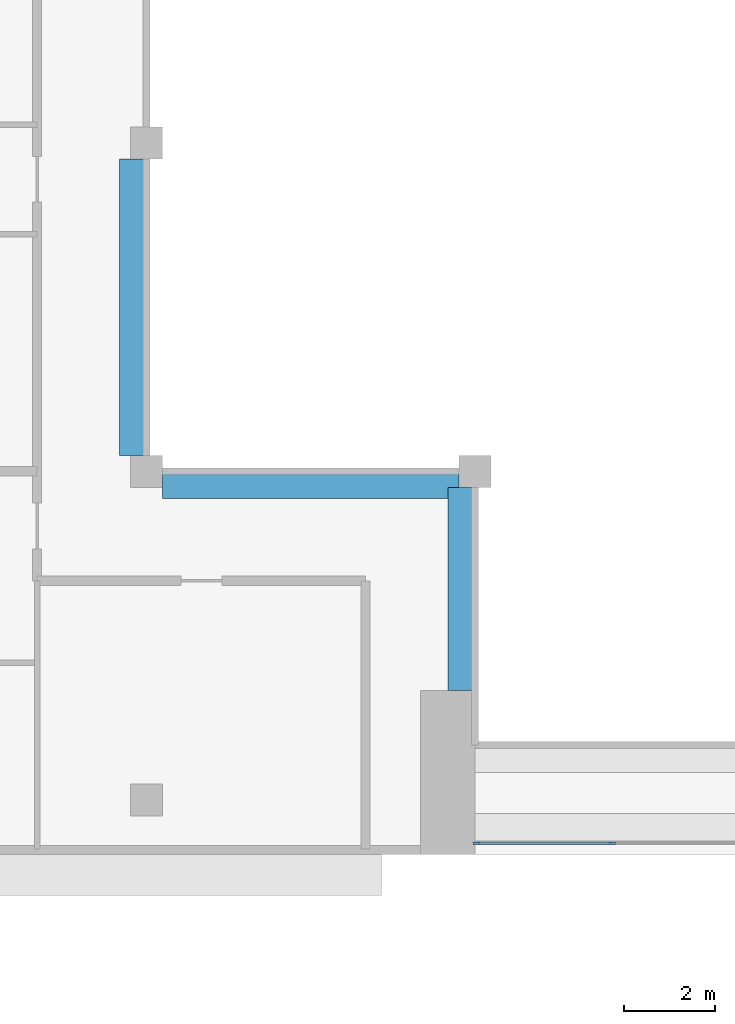
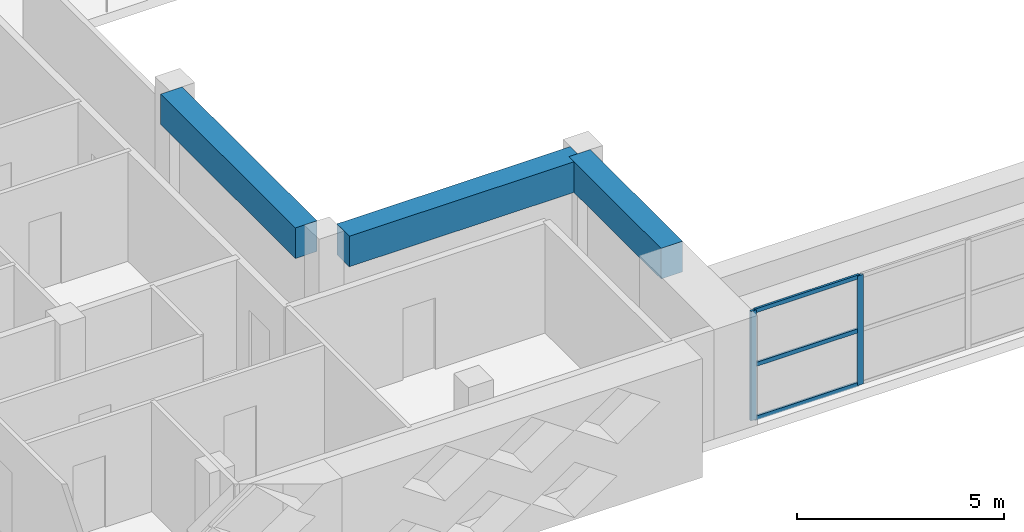
# One storey, part 2 of 19: 5 members, 3 beams, 1 element without a shape of its own.
"""IFC4 building model written with IfcOpenShell, lengths in metres."""

from ifc_helpers import new_model, si_unit, direction, frame, origin, origin_2d, place, context, subcontext, project, spatial, rectangle, extrude, source, transform, mapped, material, layer, layer_set, material_profile, profile_set, type_object, element, aggregate, save


model = new_model("IFC4")

# Units and contexts
model_context = context("Model", 3, precision=1e-05, world=origin(), true_north=direction((0.0, 1.0)))
body_context = subcontext(model_context, "Body", "Model", "MODEL_VIEW")
ifc_project = project(units=[si_unit("LENGTHUNIT", "METRE"), si_unit("AREAUNIT", "SQUARE_METRE"), si_unit("VOLUMEUNIT", "CUBIC_METRE"), si_unit("PLANEANGLEUNIT", "RADIAN"), si_unit("MASSUNIT", "GRAM", prefix="KILO")], contexts=[model_context])

# Site, building, storey
site_placement = place(None, origin())
site = spatial("IfcSite", under=ifc_project, at=site_placement, CompositionType="ELEMENT")
building_placement = place(site_placement, origin())
building = spatial("IfcBuilding", under=site, at=building_placement, Name="Saffron Iwan Residences", CompositionType="ELEMENT")
storey_placement = place(building_placement, frame((0.0, 0.0, 264.0)))
storey = spatial("IfcBuildingStorey", under=building, at=storey_placement, Name="L71", CompositionType="ELEMENT", Elevation=264.0)

# Beams
ifc_material_1 = material(Name="Concrete C40/50", Category="concrete")
ifc_material_profile_1 = material_profile(ifc_material_1, rectangle(XDim=0.60009765625, YDim=0.89990234375, at=origin_2d()), Name="RC 600x900")
ifc_profile_set_1 = profile_set([ifc_material_profile_1], Name="Concrete C40/50")
beam_type = type_object("IfcBeamType", Name="BEAM RC 600x900 C40/50 TOP 3220", PredefinedType="BEAM", material=ifc_profile_set_1)
shared_shape_1 = source(origin(), body_context, "Body", "SweptSolid", [
    extrude(rectangle(XDim=0.60009765625, YDim=0.89990234375, at=origin_2d()), origin(), (0.0, 0.0, 1.0), 4.449951171875),
])
beam_placement = place(storey_placement, frame((42.89990234375, 43.199951171875, 2.77001953125), z_axis=(0.0, 1.0, 0.0), x_axis=(-1.0, 0.0, 0.0)))
element("IfcBeam", 1, at=beam_placement, inside=storey, type_object=beam_type, Name="Atrium edge beam", PredefinedType="BEAM", context=body_context, shape_type="MappedRepresentation", body=[
    mapped(shared_shape_1, transform((0.0, 0.0, 0.0))),
])
shared_shape_2 = source(origin(), body_context, "Body", "SweptSolid", [
    extrude(rectangle(XDim=0.60009765625, YDim=0.89990234375, at=origin_2d()), origin(), (0.0, 0.0, 1.0), 6.5),
])
for number, where, z_axis, x_axis, name in (
    (2, (42.85009765625, 47.699951171875, 2.77001953125), (-1.0, 0.0, 0.0), (0.0, -1.0, 0.0), "Atrium edge beam"),
    (3, (35.699951171875, 48.35009765625, 2.77001953125), (0.0, 1.0, 0.0), (-1.0, 0.0, 0.0), "Atrium edge beam"),
):
    element("IfcBeam", number, at=place(storey_placement, frame(where, z_axis=z_axis, x_axis=x_axis)), inside=storey, type_object=beam_type, Name=name, PredefinedType="BEAM", context=body_context, shape_type="MappedRepresentation", body=[
        mapped(shared_shape_2, transform((0.0, 0.0, 0.0))),
    ])

# Curtain wall, members
ifc_material_2 = material(Name="Clear glass, laminated double glazed", Category="glass")
ifc_layer = layer(ifc_material_2, 0.199951171875)
ifc_layer_set = layer_set([ifc_layer], Name="Clear glass, laminated double glazed")
curtain_wall_type = type_object("IfcCurtainWallType", Name="CW-B IWAN PORTAL", PredefinedType="NOTDEFINED", material=ifc_layer_set)
curtain_wall_placement = place(storey_placement, origin())
curtain_wall = element("IfcCurtainWall", 4, at=curtain_wall_placement, inside=storey, type_object=curtain_wall_type, Name="Iwan portal glazing L71.1", PredefinedType="NOTDEFINED")
ifc_material_3 = material(Name="Aluminium 6063-T6", Category="aluminium")
ifc_material_profile_2 = material_profile(ifc_material_3, rectangle(XDim=0.06005859375, YDim=0.1201171875, at=origin_2d()), Name="CW-B TRANSOM 60 x 120")
ifc_profile_set_2 = profile_set([ifc_material_profile_2], Name="Aluminium 6063-T6")
member_type_1 = type_object("IfcMemberType", Name="CW-B TRANSOM 60 x 120", PredefinedType="USERDEFINED", material=ifc_profile_set_2)
shared_shape_3 = source(origin(), body_context, "Body", "SweptSolid", [
    extrude(rectangle(XDim=0.06005859375, YDim=0.1201171875, at=origin_2d()), origin(), (0.0, 0.0, 1.0), 2.909912109375),
])
member_1_placement = place(storey_placement, frame((43.260009765625, 39.85009765625, 0.030029296875), z_axis=(1.0, 0.0, 0.0), x_axis=(0.0, 1.0, 0.0)))
member_1 = element("IfcMember", 5, at=member_1_placement, type_object=member_type_1, Name="CW-B transom 1.1", ObjectType="TRANSOM", PredefinedType="USERDEFINED", context=body_context, shape_type="MappedRepresentation", body=[
    mapped(shared_shape_3, transform((0.0, 0.0, 0.0))),
])
member_2_placement = place(storey_placement, frame((43.260009765625, 39.85009765625, 1.610107421875), z_axis=(1.0, 0.0, 0.0), x_axis=(0.0, 1.0, 0.0)))
member_2 = element("IfcMember", 6, at=member_2_placement, type_object=member_type_1, Name="CW-B transom 1.2", ObjectType="TRANSOM", PredefinedType="USERDEFINED", context=body_context, shape_type="MappedRepresentation", body=[
    mapped(shared_shape_3, transform((0.0, 0.0, 0.0))),
])
member_3_placement = place(storey_placement, frame((43.260009765625, 39.85009765625, 3.18994140625), z_axis=(1.0, 0.0, 0.0), x_axis=(0.0, 1.0, 0.0)))
member_3 = element("IfcMember", 7, at=member_3_placement, type_object=member_type_1, Name="CW-B transom 1.3", ObjectType="TRANSOM", PredefinedType="USERDEFINED", context=body_context, shape_type="MappedRepresentation", body=[
    mapped(shared_shape_3, transform((0.0, 0.0, 0.0))),
])
ifc_material_profile_3 = material_profile(ifc_material_3, rectangle(XDim=0.06005859375, YDim=0.159912109375, at=origin_2d()), Name="CW-B MULLION 60 x 160")
ifc_profile_set_3 = profile_set([ifc_material_profile_3], Name="Aluminium 6063-T6")
member_type_2 = type_object("IfcMemberType", Name="CW-B MULLION 60 x 160", PredefinedType="MULLION", material=ifc_profile_set_3)
shared_shape_4 = source(origin(), body_context, "Body", "SweptSolid", [
    extrude(rectangle(XDim=0.06005859375, YDim=0.159912109375, at=origin_2d()), origin(), (0.0, 0.0, 1.0), 3.219970703125),
])
member_4_placement = place(storey_placement, frame((43.22998046875, 39.85009765625, 0.0), z_axis=(0.0, 0.0, 1.0), x_axis=(0.0, 1.0, 0.0)))
member_4 = element("IfcMember", 8, at=member_4_placement, type_object=member_type_2, Name="CW-B mullion 1", PredefinedType="MULLION", context=body_context, shape_type="MappedRepresentation", body=[
    mapped(shared_shape_4, transform((0.0, 0.0, 0.0))),
])
member_5_placement = place(storey_placement, frame((46.199951171875, 39.85009765625, 0.0), z_axis=(0.0, 0.0, 1.0), x_axis=(0.0, 1.0, 0.0)))
member_5 = element("IfcMember", 9, at=member_5_placement, type_object=member_type_2, Name="CW-B mullion 2", PredefinedType="MULLION", context=body_context, shape_type="MappedRepresentation", body=[
    mapped(shared_shape_4, transform((0.0, 0.0, 0.0))),
])
aggregate(curtain_wall, [member_4, member_5, member_1, member_2, member_3])

save(model, "model.ifc")
